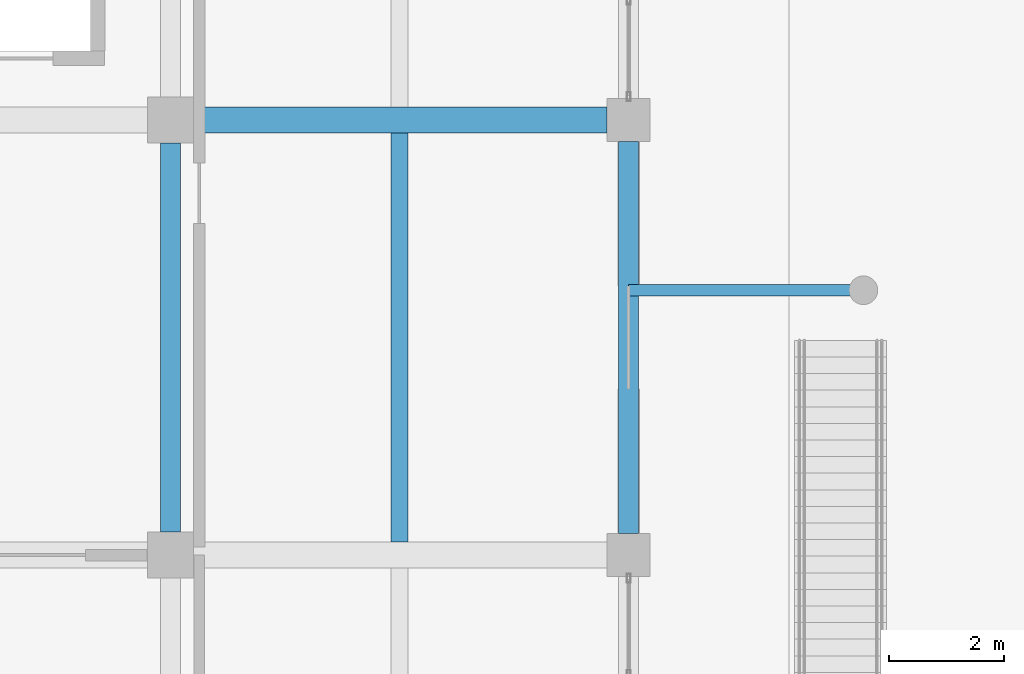
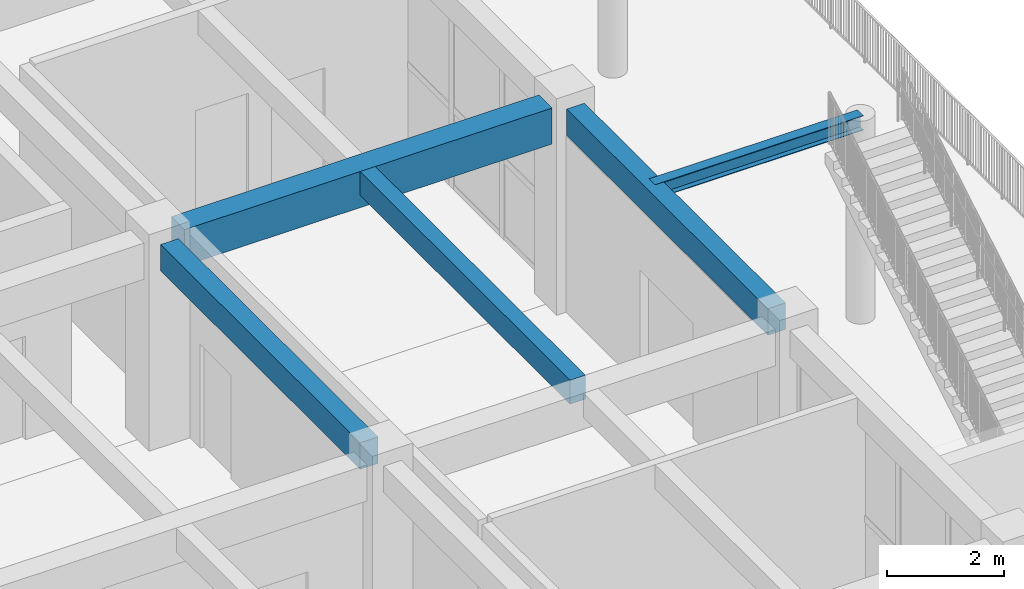
# One storey, part 35 of 79: 5 beams.
"""IFC4 building model written with IfcOpenShell, lengths in metres."""

from ifc_helpers import new_model, si_unit, direction, frame, origin, origin_2d, place, context, subcontext, project, spatial, rectangle, i_section, extrude, material, material_profile, profile_set, type_object, element, save


model = new_model("IFC4")

# Units and contexts
model_context = context("Model", 3, precision=1e-05, world=origin(), true_north=direction((0.0, 1.0)))
body_context = subcontext(model_context, "Body", "Model", "MODEL_VIEW")
ifc_project = project(units=[si_unit("LENGTHUNIT", "METRE"), si_unit("AREAUNIT", "SQUARE_METRE"), si_unit("VOLUMEUNIT", "CUBIC_METRE"), si_unit("PLANEANGLEUNIT", "RADIAN"), si_unit("MASSUNIT", "GRAM", prefix="KILO")], contexts=[model_context])

# Site, building, storey
site_placement = place(None, origin())
site = spatial("IfcSite", under=ifc_project, at=site_placement, CompositionType="ELEMENT")
building_placement = place(site_placement, origin())
building = spatial("IfcBuilding", under=site, at=building_placement, Name="Zantavel Square City Hall", CompositionType="ELEMENT")
storey_placement = place(building_placement, frame((0.0, 0.0, 10.199951171875)))
storey = spatial("IfcBuildingStorey", under=building, at=storey_placement, Name="L03", CompositionType="ELEMENT", Elevation=10.199951171875)

# Beams
ifc_material_1 = material(Name="Concrete C35/45", Category="concrete")
ifc_material_profile_1 = material_profile(ifc_material_1, rectangle(XDim=0.300048828125, YDim=0.5, at=origin_2d()), Name="RC 300x500")
ifc_profile_set_1 = profile_set([ifc_material_profile_1], Name="Concrete C35/45")
beam_type_1 = type_object("IfcBeamType", Name="Floor Joist RC 300x500 C35/45", PredefinedType="JOIST", material=ifc_profile_set_1)
beam_1_placement = place(storey_placement, frame((108.0, 45.824951171875, 3.969970703125), z_axis=(0.0, 1.0, 0.0), x_axis=(-1.0, 0.0, 0.0)))
element("IfcBeam", 1, at=beam_1_placement, inside=storey, type_object=beam_type_1, Name="L03 Floor Joist JST-L03-1080-0456", PredefinedType="JOIST", context=body_context, shape_type="SweptSolid", body=[
    extrude(rectangle(XDim=0.300048828125, YDim=0.5, at=origin_2d()), origin(), (0.0, 0.0, 1.0), 7.150146484375),
])
ifc_material_profile_2 = material_profile(ifc_material_1, rectangle(XDim=0.449951171875, YDim=0.75, at=origin_2d()), Name="RC 450x750")
ifc_profile_set_2 = profile_set([ifc_material_profile_2], Name="Concrete C35/45")
beam_type_2 = type_object("IfcBeamType", Name="Primary Girder RC 450x750 C35/45", PredefinedType="BEAM", material=ifc_profile_set_2)
beam_2_placement = place(storey_placement, frame((104.39990234375, 53.199951171875, 3.844970703125), z_axis=(1.0, 0.0, 0.0), x_axis=(0.0, 1.0, 0.0)))
element("IfcBeam", 2, at=beam_2_placement, inside=storey, type_object=beam_type_2, Name="L03 Girder BMX-L03-1040-0532", PredefinedType="BEAM", context=body_context, shape_type="SweptSolid", body=[
    extrude(rectangle(XDim=0.449951171875, YDim=0.75, at=origin_2d()), origin(), (0.0, 0.0, 1.0), 7.22509765625),
])
ifc_material_profile_3 = material_profile(ifc_material_1, rectangle(XDim=0.35009765625, YDim=0.550048828125, at=origin_2d()), Name="RC 350x550")
ifc_profile_set_3 = profile_set([ifc_material_profile_3], Name="Concrete C35/45")
beam_type_3 = type_object("IfcBeamType", Name="Secondary Beam RC 350x550 C35/45", PredefinedType="BEAM", material=ifc_profile_set_3)
beam_3_placement = place(storey_placement, frame((104.0, 46.0, 3.945068359375), z_axis=(0.0, 1.0, 0.0), x_axis=(-1.0, 0.0, 0.0)))
element("IfcBeam", 3, at=beam_3_placement, inside=storey, type_object=beam_type_3, Name="L03 Beam BMY-L03-1040-0456", PredefinedType="BEAM", context=body_context, shape_type="SweptSolid", body=[
    extrude(rectangle(XDim=0.35009765625, YDim=0.550048828125, at=origin_2d()), origin(), (0.0, 0.0, 1.0), 6.800048828125),
])
beam_4_placement = place(storey_placement, frame((112.0, 45.97509765625, 3.945068359375), z_axis=(0.0, 1.0, 0.0), x_axis=(-1.0, 0.0, 0.0)))
element("IfcBeam", 4, at=beam_4_placement, inside=storey, type_object=beam_type_3, Name="L03 Beam BMY-L03-1120-0456", PredefinedType="BEAM", context=body_context, shape_type="SweptSolid", body=[
    extrude(rectangle(XDim=0.35009765625, YDim=0.550048828125, at=origin_2d()), origin(), (0.0, 0.0, 1.0), 6.849853515625),
])
ifc_material_2 = material(Name="Steel ASTM A992 Grade 50", Category="steel")
ifc_material_profile_4 = material_profile(ifc_material_2, i_section(OverallWidth=0.202880859375, OverallDepth=0.302978515625, WebThickness=0.007568359375, FlangeThickness=0.01318359375, at=origin_2d()), Name="W310x60")
ifc_profile_set_4 = profile_set([ifc_material_profile_4], Name="Steel ASTM A992 Grade 50")
beam_type_4 = type_object("IfcBeamType", Name="Tray Edge Steel Beam W310x60", PredefinedType="BEAM", material=ifc_profile_set_4)
beam_5_placement = place(storey_placement, frame((112.0, 50.22509765625, 4.071533203125), z_axis=(1.0, 0.0, 0.0), x_axis=(0.0, 1.0, 0.0)))
element("IfcBeam", 5, at=beam_5_placement, inside=storey, type_object=beam_type_4, Name="ST-TR1 L04 Landing Support Beam", PredefinedType="BEAM", context=body_context, shape_type="SweptSolid", body=[
    extrude(i_section(OverallWidth=0.202880859375, OverallDepth=0.302978515625, WebThickness=0.007568359375, FlangeThickness=0.01318359375, at=origin_2d()), origin(), (0.0, 0.0, 1.0), 4.10009765625),
])

save(model, "model.ifc")
